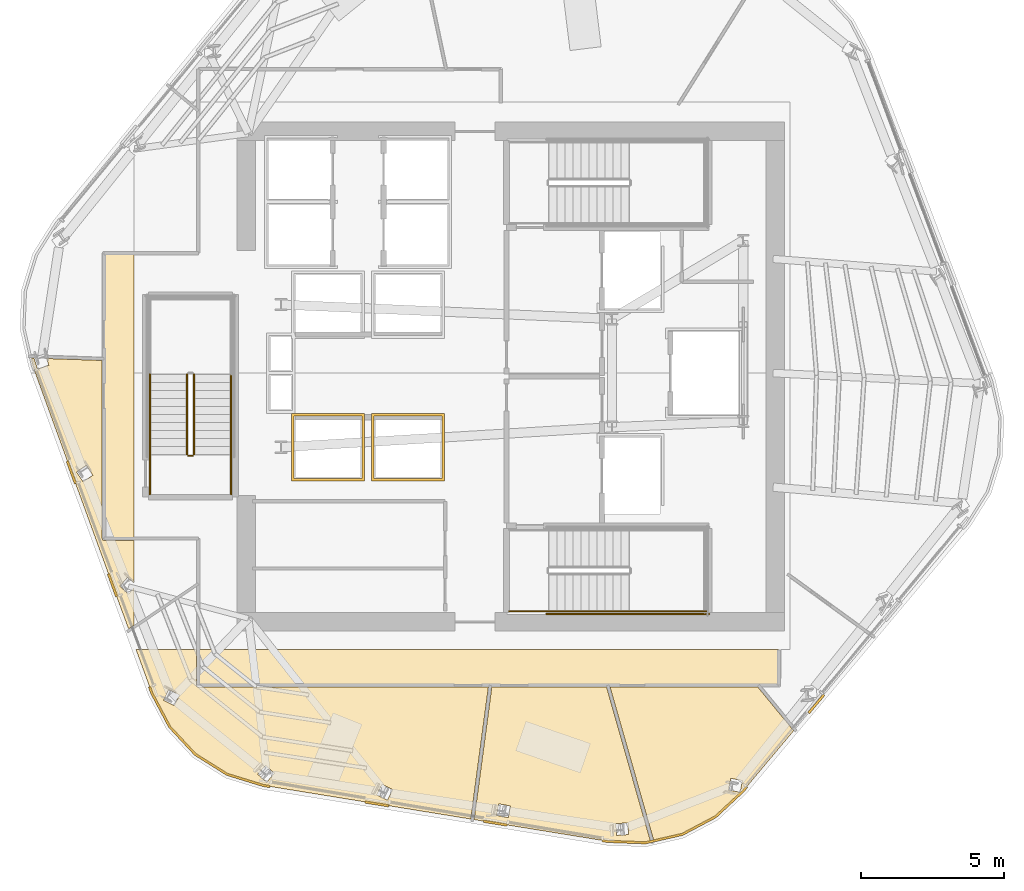
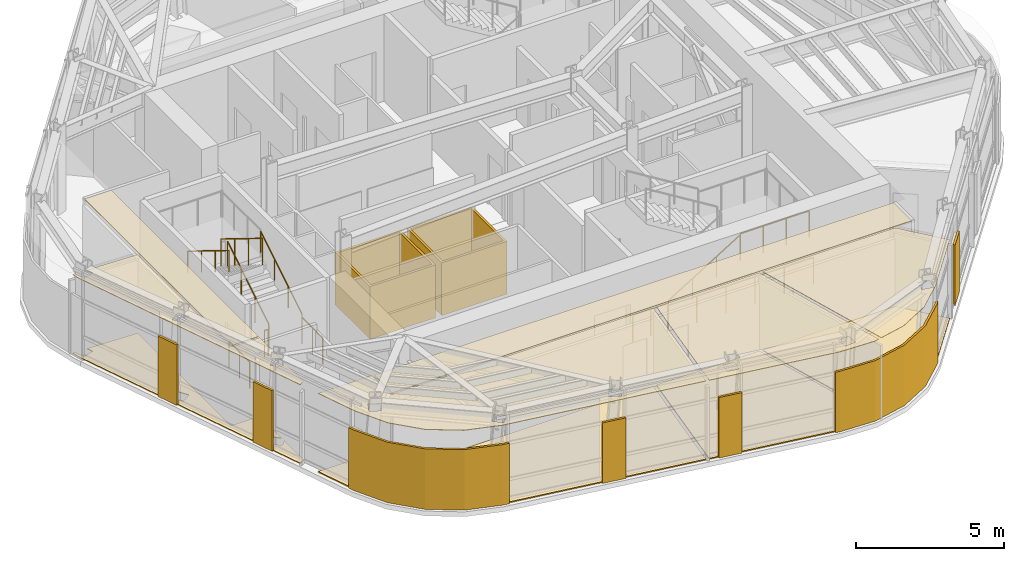
# One storey, part 8 of 12: 19 coverings, 11 railings.
"""IFC4 building model written with IfcOpenShell, lengths in metres."""

from ifc_helpers import new_model, si_unit, direction, frame, origin, origin_2d, place, context, subcontext, project, spatial, polyline, circle, outline, extrude, material, layer, layer_set, type_object, element, save


model = new_model("IFC4")

# Units and contexts
model_context = context("Model", 3, precision=1e-05, world=origin(), true_north=direction((0.0, 1.0)))
body_context = subcontext(model_context, "Body", "Model", "MODEL_VIEW")
ifc_project = project(units=[si_unit("LENGTHUNIT", "METRE"), si_unit("AREAUNIT", "SQUARE_METRE"), si_unit("VOLUMEUNIT", "CUBIC_METRE"), si_unit("PLANEANGLEUNIT", "RADIAN"), si_unit("MASSUNIT", "GRAM", prefix="KILO")], contexts=[model_context])

# Site, building, storey
site_placement = place(None, origin())
site = spatial("IfcSite", under=ifc_project, at=site_placement, CompositionType="ELEMENT")
building_placement = place(site_placement, origin())
building = spatial("IfcBuilding", under=site, at=building_placement, Name="Valkerne Bourse Tower", CompositionType="ELEMENT")
storey_placement = place(building_placement, frame((0.0, 0.0, 239.800048828125)))
storey = spatial("IfcBuildingStorey", under=building, at=storey_placement, Name="L61", CompositionType="ELEMENT", Elevation=239.800048828125)

# Coverings
ifc_material_1 = material(Name="Mineral Fiber Acoustic Ceiling Tile", Category="acoustic")
ifc_layer_1 = layer(ifc_material_1, 0.02490234375)
ifc_layer_set_1 = layer_set([ifc_layer_1], Name="Mineral Fiber Acoustic Ceiling Tile")
covering_type_1 = type_object("IfcCoveringType", Name="COV-CEIL-ACT", PredefinedType="CEILING", material=ifc_layer_set_1)
covering_1_placement = place(storey_placement, frame((0.0, 0.0, 3.25)))
element("IfcCovering", 1, at=covering_1_placement, inside=storey, type_object=covering_type_1, Name="L61 Suspended Ceiling 04", PredefinedType="CEILING", context=body_context, shape_type="SweptSolid", body=[
    extrude(outline(polyline([(30.084716796875, 27.524658203125), (30.215087890625, 27.1396484375), (30.607666015625, 27.27197265625), (30.60791015625, 27.2744140625), (30.5283203125, 27.50927734375), (32.48095703125, 27.44091796875), (32.48095703125, 21.19921875), (32.498779296875, 21.153564453125), (32.52099609375, 21.13720703125), (32.549560546875, 21.131103515625), (33.60009765625, 21.131103515625), (33.60009765625, 19.6376953125), (33.367919921875, 19.83837890625), (33.0966796875, 19.525146484375), (33.09765625, 19.523193359375), (33.40869140625, 19.25439453125), (33.60009765625, 19.475341796875), (33.60009765625, 18.167724609375), (33.40234375, 18.0341796875), (30.039794921875, 27.26220703125), (29.978759765625, 27.5283203125), (30.084716796875, 27.524658203125)]), holes=[polyline([(32.153076171875, 23.417236328125), (31.926513671875, 23.760498046875), (31.580322265625, 23.532958984375), (31.580810546875, 23.53076171875), (31.807373046875, 23.1875), (32.153564453125, 23.415283203125), (32.153076171875, 23.417236328125)])]), origin(), (0.0, 0.0, 1.0), 0.02490234375),
])
covering_2_placement = place(storey_placement, frame((0.0, 0.0, 3.25)))
element("IfcCovering", 2, at=covering_2_placement, inside=storey, type_object=covering_type_1, Name="L61 Suspended Ceiling 05", PredefinedType="CEILING", context=body_context, shape_type="SweptSolid", body=[
    extrude(outline(polyline([(52.81298828125, 10.83154296875), (51.818603515625, 10.603759765625), (50.283935546875, 15.990966796875), (55.462890625, 15.990966796875), (56.7197265625, 14.461181640625), (54.953125, 12.35400390625), (53.979248046875, 11.44921875), (52.81298828125, 10.83154296875)]), holes=[polyline([(54.922607421875, 12.712158203125), (54.519287109375, 12.79345703125), (54.517333984375, 12.792236328125), (54.436279296875, 12.38623046875), (54.839599609375, 12.304931640625), (54.841796875, 12.30615234375), (54.922607421875, 12.712158203125)])]), origin(), (0.0, 0.0, 1.0), 0.02490234375),
])
covering_3_placement = place(storey_placement, frame((0.0, 0.0, 3.25)))
element("IfcCovering", 3, at=covering_3_placement, inside=storey, type_object=covering_type_1, Name="L61 Suspended Ceiling 06", PredefinedType="CEILING", context=body_context, shape_type="SweptSolid", body=[
    extrude(outline(polyline([(45.517578125, 11.345703125), (46.137451171875, 15.990966796875), (50.161376953125, 15.990966796875), (51.703369140625, 10.577392578125), (51.526611328125, 10.537109375), (50.197998046875, 10.585693359375), (45.517578125, 11.345703125)]), holes=[polyline([(46.385986328125, 11.899658203125), (46.3837890625, 11.899658203125), (46.30615234375, 11.4951171875), (46.71240234375, 11.4169921875), (46.714599609375, 11.4169921875), (46.7919921875, 11.821533203125), (46.385986328125, 11.899658203125)]), polyline([(50.932373046875, 10.820556640625), (50.90478515625, 11.231689453125), (50.4921875, 11.2041015625), (50.489990234375, 11.20361328125), (50.517578125, 10.792724609375), (50.93017578125, 10.820068359375), (50.932373046875, 10.820556640625)])]), origin(), (0.0, 0.0, 1.0), 0.02490234375),
])
covering_4_placement = place(storey_placement, frame((0.0, 0.0, 3.25)))
element("IfcCovering", 4, at=covering_4_placement, inside=storey, type_object=covering_type_1, Name="L61 Suspended Ceiling 09", PredefinedType="CEILING", context=body_context, shape_type="SweptSolid", body=[
    extrude(outline(polyline([(35.744873046875, 13.636474609375), (34.846435546875, 14.60302734375), (34.224853515625, 15.77734375), (33.669921875, 17.300048828125), (35.781005859375, 17.300048828125), (35.781005859375, 16.059326171875), (35.794189453125, 16.019287109375), (35.8271484375, 15.99462890625), (46.018310546875, 15.990966796875), (45.40087890625, 11.364501953125), (38.132568359375, 12.544677734375), (36.862548828125, 12.935302734375), (35.744873046875, 13.636474609375)]), holes=[polyline([(42.295654296875, 12.5810546875), (42.29345703125, 12.581787109375), (42.10888671875, 12.21337890625), (42.478515625, 12.028076171875), (42.480712890625, 12.02734375), (42.665283203125, 12.3955078125), (42.295654296875, 12.5810546875)]), polyline([(38.206787109375, 13.241455078125), (38.20458984375, 13.24267578125), (37.932861328125, 12.93310546875), (38.243408203125, 12.66015625), (38.245361328125, 12.658935546875), (38.51708984375, 12.96826171875), (38.206787109375, 13.241455078125)]), polyline([(35.184814453125, 15.715087890625), (34.81591796875, 15.89599609375), (34.6328125, 15.5244140625), (34.634521484375, 15.522705078125), (35.00341796875, 15.341552734375), (35.1865234375, 15.71337890625), (35.184814453125, 15.715087890625)])]), origin(), (0.0, 0.0, 1.0), 0.02490234375),
])
ifc_material_2 = material(Name="Bronze Anodised Aluminium AA 6063-T6", Category="aluminium")
ifc_layer_2 = layer(ifc_material_2, 0.030029296875)
ifc_layer_set_2 = layer_set([ifc_layer_2], Name="Bronze Anodised Aluminium AA 6063-T6")
covering_type_2 = type_object("IfcCoveringType", Name="COV-CEIL-METAL", PredefinedType="CEILING", material=ifc_layer_set_2)
covering_5_placement = place(storey_placement, frame((0.0, 0.0, 3.25)))
element("IfcCovering", 5, at=covering_5_placement, inside=storey, type_object=covering_type_2, Name="L61 Suspended Ceiling 01", PredefinedType="CEILING", context=body_context, shape_type="SweptSolid", body=[
    extrude(outline(polyline([(35.85400390625, 17.300048828125), (56.196044921875, 17.300048828125), (56.196044921875, 16.06396484375), (35.85400390625, 16.06396484375), (35.85400390625, 17.300048828125)])), origin(), (0.0, 0.0, 1.0), 0.02490234375),
])
covering_6_placement = place(storey_placement, frame((0.0, 0.0, 3.25)))
element("IfcCovering", 6, at=covering_6_placement, inside=storey, type_object=covering_type_2, Name="L61 Suspended Ceiling 02", PredefinedType="CEILING", context=body_context, shape_type="SweptSolid", body=[
    extrude(outline(polyline([(32.553955078125, 21.2041015625), (32.553955078125, 31.196044921875), (33.60009765625, 31.196044921875), (33.60009765625, 21.2041015625), (32.553955078125, 21.2041015625)])), origin(), (0.0, 0.0, 1.0), 0.02490234375),
])
ifc_layer_3 = layer(ifc_material_2, 0.06005859375)
ifc_layer_set_3 = layer_set([ifc_layer_3], Name="Bronze Anodised Aluminium AA 6063-T6")
covering_type_3 = type_object("IfcCoveringType", Name="COV-CRN-ALUM", PredefinedType="CLADDING", material=ifc_layer_set_3)
covering_7_placement = place(storey_placement, origin())
element("IfcCovering", 7, at=covering_7_placement, inside=storey, type_object=covering_type_3, Name="L61 Wind-Shaped Corner Aluminium Cladding 03", PredefinedType="CLADDING", context=body_context, shape_type="SweptSolid", body=[
    extrude(outline(polyline([(57.275634765625, 15.0556640625), (57.214111328125, 15.106689453125), (57.753662109375, 15.750244140625), (57.815185546875, 15.69921875), (57.275634765625, 15.0556640625)])), origin(), (0.0, 0.0, 1.0), 2.5),
])
covering_8_placement = place(storey_placement, origin())
element("IfcCovering", 8, at=covering_8_placement, inside=storey, type_object=covering_type_3, Name="L61 Wind-Shaped Corner Aluminium Cladding 04", PredefinedType="CLADDING", context=body_context, shape_type="SweptSolid", body=[
    extrude(outline(polyline([(54.985107421875, 12.32373046875), (54.0048828125, 11.412841796875), (52.828369140625, 10.7900390625), (51.531005859375, 10.492919921875), (50.193603515625, 10.541748046875), (50.00341796875, 10.57275390625), (50.0166015625, 10.651611328125), (50.20166015625, 10.62158203125), (51.523193359375, 10.572998046875), (52.80029296875, 10.86572265625), (53.9580078125, 11.478759765625), (54.927001953125, 12.37890625), (55.04736328125, 12.522705078125), (55.109130859375, 12.4716796875), (54.985107421875, 12.32373046875)])), origin(), (0.0, 0.0, 1.0), 2.5),
])
covering_9_placement = place(storey_placement, origin())
element("IfcCovering", 9, at=covering_9_placement, inside=storey, type_object=covering_type_3, Name="L61 Wind-Shaped Corner Aluminium Cladding 05", PredefinedType="CLADDING", context=body_context, shape_type="SweptSolid", body=[
    extrude(outline(polyline([(45.845703125, 11.247802734375), (45.85888671875, 11.32666015625), (46.68798828125, 11.19189453125), (46.6748046875, 11.113037109375), (45.845703125, 11.247802734375)])), origin(), (0.0, 0.0, 1.0), 2.5),
])
covering_10_placement = place(storey_placement, origin())
element("IfcCovering", 10, at=covering_10_placement, inside=storey, type_object=covering_type_3, Name="L61 Wind-Shaped Corner Aluminium Cladding 06", PredefinedType="CLADDING", context=body_context, shape_type="SweptSolid", body=[
    extrude(outline(polyline([(41.68798828125, 11.9228515625), (41.701416015625, 12.001708984375), (42.530517578125, 11.8671875), (42.51708984375, 11.7880859375), (41.68798828125, 11.9228515625)])), origin(), (0.0, 0.0, 1.0), 2.5),
])
covering_11_placement = place(storey_placement, origin())
element("IfcCovering", 11, at=covering_11_placement, inside=storey, type_object=covering_type_3, Name="L61 Wind-Shaped Corner Aluminium Cladding 07", PredefinedType="CLADDING", context=body_context, shape_type="SweptSolid", body=[
    extrude(outline(polyline([(38.122314453125, 12.501708984375), (36.843994140625, 12.89501953125), (35.716552734375, 13.602294921875), (34.810302734375, 14.577392578125), (34.1845703125, 15.759521484375), (34.102294921875, 15.985107421875), (34.17724609375, 16.012939453125), (34.2578125, 15.7919921875), (34.876220703125, 14.624267578125), (35.767822265625, 13.66455078125), (36.877685546875, 12.96826171875), (38.140625, 12.579833984375), (38.372802734375, 12.5419921875), (38.359619140625, 12.463134765625), (38.122314453125, 12.501708984375)])), origin(), (0.0, 0.0, 1.0), 2.5),
])
covering_12_placement = place(storey_placement, origin())
element("IfcCovering", 12, at=covering_12_placement, inside=storey, type_object=covering_type_3, Name="L61 Wind-Shaped Corner Aluminium Cladding 08", PredefinedType="CLADDING", context=body_context, shape_type="SweptSolid", body=[
    extrude(outline(polyline([(32.66015625, 19.942626953125), (32.735107421875, 19.970458984375), (33.022705078125, 19.18115234375), (32.94775390625, 19.1533203125), (32.66015625, 19.942626953125)])), origin(), (0.0, 0.0, 1.0), 2.5),
])
covering_13_placement = place(storey_placement, origin())
element("IfcCovering", 13, at=covering_13_placement, inside=storey, type_object=covering_type_3, Name="L61 Wind-Shaped Corner Aluminium Cladding 09", PredefinedType="CLADDING", context=body_context, shape_type="SweptSolid", body=[
    extrude(outline(polyline([(31.218017578125, 23.900146484375), (31.29296875, 23.927978515625), (31.58056640625, 23.138916015625), (31.505615234375, 23.11083984375), (31.218017578125, 23.900146484375)])), origin(), (0.0, 0.0, 1.0), 2.5),
])
ifc_material_3 = material(Name="Galvanised Painted Steel", Category="steel")
ifc_layer_4 = layer(ifc_material_3, 0.044921875)
ifc_layer_set_4 = layer_set([ifc_layer_4], Name="Galvanised Painted Steel")
covering_type_4 = type_object("IfcCoveringType", Name="COV-FLR-RAF", PredefinedType="FLOORING", material=ifc_layer_set_4)
covering_14_placement = place(storey_placement, origin())
element("IfcCovering", 14, at=covering_14_placement, inside=storey, type_object=covering_type_4, Name="L61 Floor Finish 06", PredefinedType="FLOORING", context=body_context, shape_type="SweptSolid", body=[
    extrude(outline(polyline([(45.517578125, 11.345703125), (46.137451171875, 15.990966796875), (50.161376953125, 15.990966796875), (51.703369140625, 10.577392578125), (51.526611328125, 10.537109375), (50.197998046875, 10.585693359375), (45.517578125, 11.345703125)]), holes=[polyline([(46.385986328125, 11.899658203125), (46.3837890625, 11.899658203125), (46.30615234375, 11.4951171875), (46.71240234375, 11.4169921875), (46.714599609375, 11.4169921875), (46.7919921875, 11.821533203125), (46.385986328125, 11.899658203125)]), polyline([(50.932373046875, 10.820556640625), (50.90478515625, 11.231689453125), (50.4921875, 11.2041015625), (50.489990234375, 11.20361328125), (50.517578125, 10.792724609375), (50.93017578125, 10.820068359375), (50.932373046875, 10.820556640625)])]), origin(), (0.0, 0.0, 1.0), 0.044921875),
])
covering_15_placement = place(storey_placement, origin())
element("IfcCovering", 15, at=covering_15_placement, inside=storey, type_object=covering_type_4, Name="L61 Floor Finish 09", PredefinedType="FLOORING", context=body_context, shape_type="SweptSolid", body=[
    extrude(outline(polyline([(35.744873046875, 13.636474609375), (34.846435546875, 14.60302734375), (34.224853515625, 15.77734375), (33.669921875, 17.300048828125), (35.781005859375, 17.300048828125), (35.781005859375, 16.059326171875), (35.794189453125, 16.019287109375), (35.8271484375, 15.99462890625), (46.018310546875, 15.990966796875), (45.40087890625, 11.364501953125), (38.132568359375, 12.544677734375), (36.862548828125, 12.935302734375), (35.744873046875, 13.636474609375)]), holes=[polyline([(42.295654296875, 12.5810546875), (42.29345703125, 12.581787109375), (42.10888671875, 12.21337890625), (42.478515625, 12.028076171875), (42.480712890625, 12.02734375), (42.665283203125, 12.3955078125), (42.295654296875, 12.5810546875)]), polyline([(38.206787109375, 13.241455078125), (38.20458984375, 13.24267578125), (37.932861328125, 12.93310546875), (38.243408203125, 12.66015625), (38.245361328125, 12.658935546875), (38.51708984375, 12.96826171875), (38.206787109375, 13.241455078125)]), polyline([(35.184814453125, 15.715087890625), (34.81591796875, 15.89599609375), (34.6328125, 15.5244140625), (34.634521484375, 15.522705078125), (35.00341796875, 15.341552734375), (35.1865234375, 15.71337890625), (35.184814453125, 15.715087890625)])]), origin(), (0.0, 0.0, 1.0), 0.044921875),
])
ifc_material_4 = material(Name="Polished Granite Stone", Category="masonry")
ifc_layer_5 = layer(ifc_material_4, 0.030029296875)
ifc_layer_set_5 = layer_set([ifc_layer_5], Name="Polished Granite Stone")
covering_type_5 = type_object("IfcCoveringType", Name="COV-FLR-TERRAZZO", PredefinedType="FLOORING", material=ifc_layer_set_5)
covering_16_placement = place(storey_placement, origin())
element("IfcCovering", 16, at=covering_16_placement, inside=storey, type_object=covering_type_5, Name="L61 Floor Finish 04", PredefinedType="FLOORING", context=body_context, shape_type="SweptSolid", body=[
    extrude(outline(polyline([(30.084716796875, 27.524658203125), (30.215087890625, 27.1396484375), (30.607666015625, 27.27197265625), (30.60791015625, 27.2744140625), (30.5283203125, 27.50927734375), (32.48095703125, 27.44091796875), (32.48095703125, 21.19921875), (32.498779296875, 21.153564453125), (32.52099609375, 21.13720703125), (32.549560546875, 21.131103515625), (33.60009765625, 21.131103515625), (33.60009765625, 19.6376953125), (33.367919921875, 19.83837890625), (33.0966796875, 19.525146484375), (33.09765625, 19.523193359375), (33.40869140625, 19.25439453125), (33.60009765625, 19.475341796875), (33.60009765625, 18.167724609375), (33.40234375, 18.0341796875), (30.039794921875, 27.26220703125), (29.978759765625, 27.5283203125), (30.084716796875, 27.524658203125)]), holes=[polyline([(32.153076171875, 23.417236328125), (31.926513671875, 23.760498046875), (31.580322265625, 23.532958984375), (31.580810546875, 23.53076171875), (31.807373046875, 23.1875), (32.153564453125, 23.415283203125), (32.153076171875, 23.417236328125)])]), origin(), (0.0, 0.0, 1.0), 0.030029296875),
])
covering_17_placement = place(storey_placement, origin())
element("IfcCovering", 17, at=covering_17_placement, inside=storey, type_object=covering_type_5, Name="L61 Floor Finish 05", PredefinedType="FLOORING", context=body_context, shape_type="SweptSolid", body=[
    extrude(outline(polyline([(52.81298828125, 10.83154296875), (51.818603515625, 10.603759765625), (50.283935546875, 15.990966796875), (55.462890625, 15.990966796875), (56.7197265625, 14.461181640625), (54.953125, 12.35400390625), (53.979248046875, 11.44921875), (52.81298828125, 10.83154296875)]), holes=[polyline([(54.922607421875, 12.712158203125), (54.519287109375, 12.79345703125), (54.517333984375, 12.792236328125), (54.436279296875, 12.38623046875), (54.839599609375, 12.304931640625), (54.841796875, 12.30615234375), (54.922607421875, 12.712158203125)])]), origin(), (0.0, 0.0, 1.0), 0.030029296875),
])
ifc_material_5 = material(Name="Gypsum Shaftwall Liner Board", Category="gypsum")
ifc_layer_6 = layer(ifc_material_5, 0.080078125)
ifc_layer_set_6 = layer_set([ifc_layer_6], Name="Gypsum Shaftwall Liner Board")
covering_type_6 = type_object("IfcCoveringType", Name="COV-SHF-CLAD", PredefinedType="CLADDING", material=ifc_layer_set_6)
covering_18_placement = place(storey_placement, origin())
element("IfcCovering", 18, at=covering_18_placement, inside=storey, type_object=covering_type_6, Name="L61 Hoistway & Riser Shaftwall Liner 01", PredefinedType="CLADDING", context=body_context, shape_type="SweptSolid", body=[
    extrude(outline(polyline([(41.679931640625, 25.580078125), (41.679931640625, 23.219970703125), (39.1201171875, 23.219970703125), (39.1201171875, 25.580078125), (41.679931640625, 25.580078125)]), holes=[polyline([(41.590087890625, 25.489990234375), (39.2099609375, 25.489990234375), (39.2099609375, 23.31005859375), (41.590087890625, 23.31005859375), (41.590087890625, 25.489990234375)])]), origin(), (0.0, 0.0, 1.0), 2.179931640625),
])
covering_19_placement = place(storey_placement, origin())
element("IfcCovering", 19, at=covering_19_placement, inside=storey, type_object=covering_type_6, Name="L61 Hoistway & Riser Shaftwall Liner 02", PredefinedType="CLADDING", context=body_context, shape_type="SweptSolid", body=[
    extrude(outline(polyline([(44.47998046875, 23.219970703125), (41.919921875, 23.219970703125), (41.919921875, 25.580078125), (44.47998046875, 25.580078125), (44.47998046875, 23.219970703125)]), holes=[polyline([(42.010009765625, 25.489990234375), (42.010009765625, 23.31005859375), (44.389892578125, 23.31005859375), (44.389892578125, 25.489990234375), (42.010009765625, 25.489990234375)])]), origin(), (0.0, 0.0, 1.0), 2.179931640625),
])

# Railings
railing_type_1 = type_object("IfcRailingType", Name="RLG-ST-GUARD-1120", PredefinedType="GUARDRAIL", material=ifc_material_3)
railing_1_placement = place(storey_placement, frame((50.949951171875, 18.64990234375, 1.89990234375)))
element("IfcRailing", 20, at=railing_1_placement, inside=storey, type_object=railing_type_1, Name="L61 ST-1 stair guard 3", PredefinedType="GUARDRAIL", context=body_context, shape_type="SweptSolid", body=[
    extrude(circle(Radius=0.02392578125, at=origin_2d()), frame((0.0, 0.0, 1.09619140625), z_axis=(1.0, 0.0, 0.0), x_axis=(0.0, 1.0, 0.0)), (0.0, 0.0, 1.0), 2.699951171875),
    extrude(circle(Radius=0.02099609375, at=origin_2d()), origin(), (0.0, 0.0, 1.0), 1.072021484375),
    extrude(circle(Radius=0.02099609375, at=origin_2d()), frame((0.89990234375, 0.0, 0.0)), (0.0, 0.0, 1.0), 1.072021484375),
    extrude(circle(Radius=0.02099609375, at=origin_2d()), frame((1.800048828125, 0.0, 0.0)), (0.0, 0.0, 1.0), 1.072021484375),
    extrude(circle(Radius=0.02099609375, at=origin_2d()), frame((2.699951171875, 0.0, 0.0)), (0.0, 0.0, 1.0), 1.072021484375),
])
railing_2_placement = place(storey_placement, frame((46.75, 18.64990234375, 0.0)))
element("IfcRailing", 21, at=railing_2_placement, inside=storey, type_object=railing_type_1, Name="L61 ST-1 stair guard 8", PredefinedType="GUARDRAIL", context=body_context, shape_type="SweptSolid", body=[
    extrude(circle(Radius=0.02392578125, at=origin_2d()), frame((0.0, 0.0, 1.09619140625), z_axis=(1.0, 0.0, 0.0), x_axis=(0.0, 1.0, 0.0)), (0.0, 0.0, 1.0), 1.39990234375),
    extrude(circle(Radius=0.02099609375, at=origin_2d()), origin(), (0.0, 0.0, 1.0), 1.072021484375),
    extrude(circle(Radius=0.02099609375, at=origin_2d()), frame((0.699951171875, 0.0, 0.0)), (0.0, 0.0, 1.0), 1.072021484375),
    extrude(circle(Radius=0.02099609375, at=origin_2d()), frame((1.39990234375, 0.0, 0.0)), (0.0, 0.0, 1.0), 1.072021484375),
])
railing_3_placement = place(storey_placement, frame((48.050048828125, 18.550048828125, 0.0)))
element("IfcRailing", 22, at=railing_3_placement, inside=storey, type_object=railing_type_1, Name="L61 ST-1 stair guard 10", PredefinedType="GUARDRAIL", context=body_context, shape_type="SweptSolid", body=[
    extrude(circle(Radius=0.02392578125, at=origin_2d()), frame((0.0, 0.0, 1.09619140625), z_axis=(1.0, 0.0, 0.0), x_axis=(0.0, 1.0, 0.0)), (0.0, 0.0, 1.0), 5.699951171875),
    extrude(circle(Radius=0.02099609375, at=origin_2d()), origin(), (0.0, 0.0, 1.0), 1.072021484375),
    extrude(circle(Radius=0.02099609375, at=origin_2d()), frame((1.139892578125, 0.0, 0.0)), (0.0, 0.0, 1.0), 1.072021484375),
    extrude(circle(Radius=0.02099609375, at=origin_2d()), frame((2.280029296875, 0.0, 0.0)), (0.0, 0.0, 1.0), 1.072021484375),
    extrude(circle(Radius=0.02099609375, at=origin_2d()), frame((3.419921875, 0.0, 0.0)), (0.0, 0.0, 1.0), 1.072021484375),
    extrude(circle(Radius=0.02099609375, at=origin_2d()), frame((4.56005859375, 0.0, 0.0)), (0.0, 0.0, 1.0), 1.072021484375),
    extrude(circle(Radius=0.02099609375, at=origin_2d()), frame((5.699951171875, 0.0, 0.0)), (0.0, 0.0, 1.0), 1.072021484375),
])
railing_4_placement = place(storey_placement, frame((35.699951171875, 24.14990234375, 0.172607421875)))
element("IfcRailing", 23, at=railing_4_placement, inside=storey, type_object=railing_type_1, Name="L61 ST-3 stair guard 1", PredefinedType="GUARDRAIL", context=body_context, shape_type="SweptSolid", body=[
    extrude(circle(Radius=0.02392578125, at=origin_2d()), frame((0.0, 0.0, 1.09619140625), z_axis=(0.0, 0.851089632645, 0.525020415988), x_axis=(-1.0, 0.0, 0.0)), (0.0, 0.0, 1.0), 3.2900390625),
    extrude(circle(Radius=0.02099609375, at=origin_2d()), origin(), (0.0, 0.0, 1.0), 1.072021484375),
    extrude(circle(Radius=0.02099609375, at=origin_2d()), frame((0.0, 0.933349609375, 0.57568359375)), (0.0, 0.0, 1.0), 1.072021484375),
    extrude(circle(Radius=0.02099609375, at=origin_2d()), frame((0.0, 1.86669921875, 1.151611328125)), (0.0, 0.0, 1.0), 1.072021484375),
    extrude(circle(Radius=0.02099609375, at=origin_2d()), frame((0.0, 2.800048828125, 1.727294921875)), (0.0, 0.0, 1.0), 1.072021484375),
])
railing_5_placement = place(storey_placement, frame((35.449951171875, 26.949951171875, 2.07275390625)))
element("IfcRailing", 24, at=railing_5_placement, inside=storey, type_object=railing_type_1, Name="L61 ST-3 stair guard 6", PredefinedType="GUARDRAIL", context=body_context, shape_type="SweptSolid", body=[
    extrude(circle(Radius=0.02392578125, at=origin_2d()), frame((0.0, 0.0, 1.09619140625), z_axis=(0.0, -0.851089632645, 0.525020415988), x_axis=(1.0, 0.0, 0.0)), (0.0, 0.0, 1.0), 3.2900390625),
    extrude(circle(Radius=0.02099609375, at=origin_2d()), origin(), (0.0, 0.0, 1.0), 1.072021484375),
    extrude(circle(Radius=0.02099609375, at=origin_2d()), frame((0.0, -0.933349609375, 0.57568359375)), (0.0, 0.0, 1.0), 1.072021484375),
    extrude(circle(Radius=0.02099609375, at=origin_2d()), frame((0.0, -1.86669921875, 1.151611328125)), (0.0, 0.0, 1.0), 1.072021484375),
    extrude(circle(Radius=0.02099609375, at=origin_2d()), frame((0.0, -2.800048828125, 1.727294921875)), (0.0, 0.0, 1.0), 1.072021484375),
])
railing_6_placement = place(storey_placement, frame((35.64990234375, 24.10009765625, 0.0)))
element("IfcRailing", 25, at=railing_6_placement, inside=storey, type_object=railing_type_1, Name="L61 ST-3 stair guard 7", PredefinedType="GUARDRAIL", context=body_context, shape_type="SweptSolid", body=[
    extrude(circle(Radius=0.02392578125, at=origin_2d()), frame((0.0, 0.0, 1.09619140625), z_axis=(-1.0, 0.0, 0.0), x_axis=(0.0, -1.0, 0.0)), (0.0, 0.0, 1.0), 0.14990234375),
    extrude(circle(Radius=0.02099609375, at=origin_2d()), origin(), (0.0, 0.0, 1.0), 1.072021484375),
    extrude(circle(Radius=0.02099609375, at=origin_2d()), frame((-0.14990234375, 0.0, 0.0)), (0.0, 0.0, 1.0), 1.072021484375),
])
for number, where, name in (
    (26, (37.0, 22.75, 0.0), "L61 ST-3 stair guard 8"),
    (27, (34.14990234375, 22.75, 0.0), "L61 ST-3 stair guard 9"),
):
    element("IfcRailing", number, at=place(storey_placement, frame(where)), inside=storey, type_object=railing_type_1, Name=name, PredefinedType="GUARDRAIL", context=body_context, shape_type="SweptSolid", body=[
        extrude(circle(Radius=0.02392578125, at=origin_2d()), frame((0.0, 0.0, 1.09619140625), z_axis=(0.0, 1.0, 0.0), x_axis=(-1.0, 0.0, 0.0)), (0.0, 0.0, 1.0), 1.39990234375),
        extrude(circle(Radius=0.02099609375, at=origin_2d()), origin(), (0.0, 0.0, 1.0), 1.072021484375),
        extrude(circle(Radius=0.02099609375, at=origin_2d()), frame((0.0, 0.699951171875, 0.0)), (0.0, 0.0, 1.0), 1.072021484375),
        extrude(circle(Radius=0.02099609375, at=origin_2d()), frame((0.0, 1.39990234375, 0.0)), (0.0, 0.0, 1.0), 1.072021484375),
    ])
ifc_material_6 = material(Name="Stainless Steel AISI 316", Category="steel")
railing_type_2 = type_object("IfcRailingType", Name="RLG-ST-HANDRAIL-900", PredefinedType="HANDRAIL", material=ifc_material_6)
railing_7_placement = place(storey_placement, frame((48.14990234375, 18.64990234375, 0.345458984375)))
element("IfcRailing", 28, at=railing_7_placement, inside=storey, type_object=railing_type_2, Name="L61 ST-1 stair handrail 1", PredefinedType="HANDRAIL", context=body_context, shape_type="SweptSolid", body=[
    extrude(circle(Radius=0.02392578125, at=origin_2d()), frame((0.0, 0.0, 0.8759765625), z_axis=(0.851089632645, 0.0, 0.525020415988), x_axis=(0.0, 1.0, 0.0)), (0.0, 0.0, 1.0), 3.2900390625),
    extrude(circle(Radius=0.02099609375, at=origin_2d()), origin(), (0.0, 0.0, 1.0), 0.851806640625),
    extrude(circle(Radius=0.02099609375, at=origin_2d()), frame((0.933349609375, 0.0, 0.57568359375)), (0.0, 0.0, 1.0), 0.851806640625),
    extrude(circle(Radius=0.02099609375, at=origin_2d()), frame((1.86669921875, 0.0, 1.151611328125)), (0.0, 0.0, 1.0), 0.851806640625),
    extrude(circle(Radius=0.02099609375, at=origin_2d()), frame((2.800048828125, 0.0, 1.727294921875)), (0.0, 0.0, 1.0), 0.851806640625),
])
railing_8_placement = place(storey_placement, frame((37.0, 24.14990234375, 0.345458984375)))
element("IfcRailing", 29, at=railing_8_placement, inside=storey, type_object=railing_type_2, Name="L61 ST-3 stair handrail 1", PredefinedType="HANDRAIL", context=body_context, shape_type="SweptSolid", body=[
    extrude(circle(Radius=0.02392578125, at=origin_2d()), frame((0.0, 0.0, 0.8759765625), z_axis=(0.0, 0.851089632645, 0.525020415988), x_axis=(-1.0, 0.0, 0.0)), (0.0, 0.0, 1.0), 3.2900390625),
    extrude(circle(Radius=0.02099609375, at=origin_2d()), origin(), (0.0, 0.0, 1.0), 0.851806640625),
    extrude(circle(Radius=0.02099609375, at=origin_2d()), frame((0.0, 0.933349609375, 0.57568359375)), (0.0, 0.0, 1.0), 0.851806640625),
    extrude(circle(Radius=0.02099609375, at=origin_2d()), frame((0.0, 1.86669921875, 1.151611328125)), (0.0, 0.0, 1.0), 0.851806640625),
    extrude(circle(Radius=0.02099609375, at=origin_2d()), frame((0.0, 2.800048828125, 1.727294921875)), (0.0, 0.0, 1.0), 0.851806640625),
])
railing_9_placement = place(storey_placement, frame((34.14990234375, 26.949951171875, 2.245361328125)))
element("IfcRailing", 30, at=railing_9_placement, inside=storey, type_object=railing_type_2, Name="L61 ST-3 stair handrail 2", PredefinedType="HANDRAIL", context=body_context, shape_type="SweptSolid", body=[
    extrude(circle(Radius=0.02392578125, at=origin_2d()), frame((0.0, 0.0, 0.8759765625), z_axis=(0.0, -0.851089632645, 0.525020415988), x_axis=(1.0, 0.0, 0.0)), (0.0, 0.0, 1.0), 3.2900390625),
    extrude(circle(Radius=0.02099609375, at=origin_2d()), origin(), (0.0, 0.0, 1.0), 0.851806640625),
    extrude(circle(Radius=0.02099609375, at=origin_2d()), frame((0.0, -0.933349609375, 0.57568359375)), (0.0, 0.0, 1.0), 0.851806640625),
    extrude(circle(Radius=0.02099609375, at=origin_2d()), frame((0.0, -1.86669921875, 1.151611328125)), (0.0, 0.0, 1.0), 0.851806640625),
    extrude(circle(Radius=0.02099609375, at=origin_2d()), frame((0.0, -2.800048828125, 1.727294921875)), (0.0, 0.0, 1.0), 0.851806640625),
])

save(model, "model.ifc")
